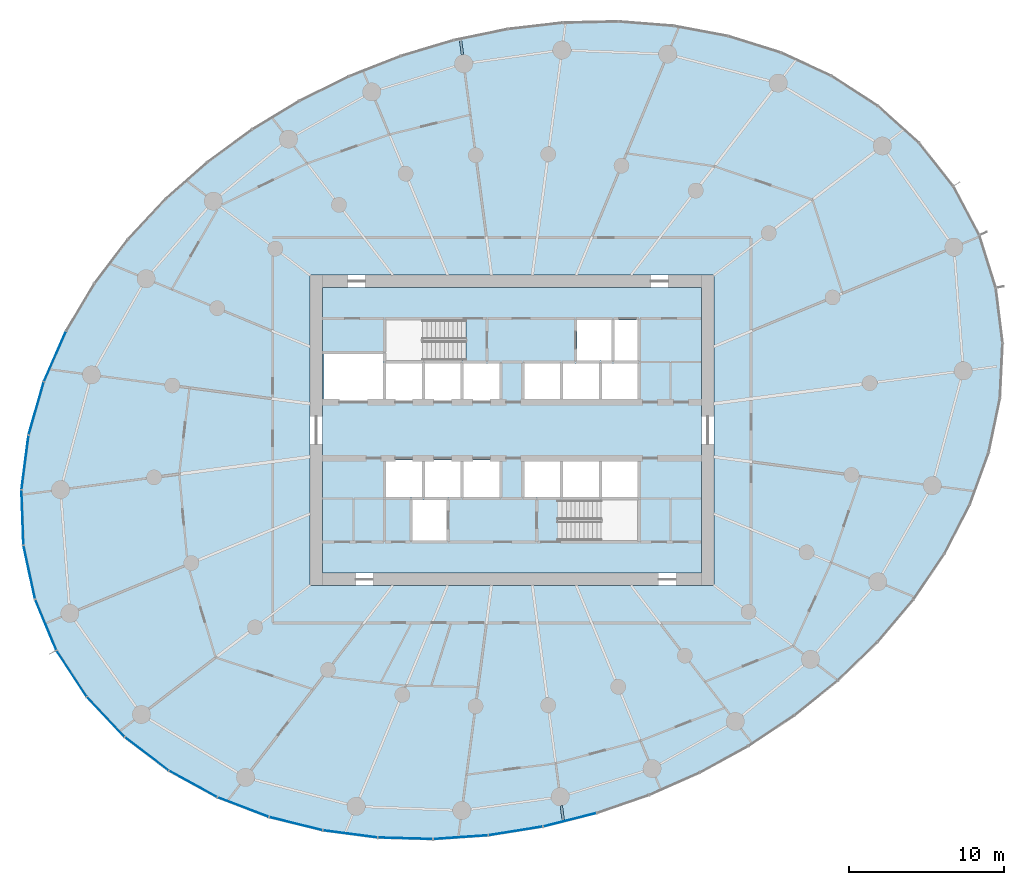
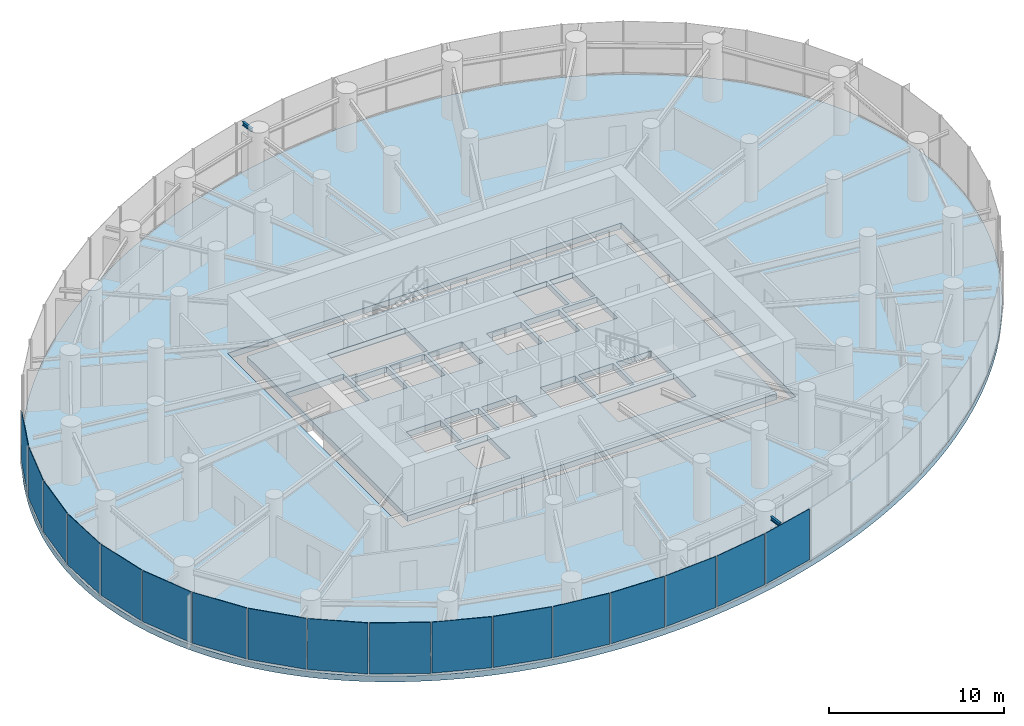
# One storey, part 8 of 17: 17 plates, 2 beams, 2 slabs, 4 elements without a shape of their own.
"""IFC4 building model written with IfcOpenShell, lengths in metres."""

from ifc_helpers import new_model, si_unit, direction, frame, origin, origin_2d, place, context, subcontext, project, spatial, line, indexed_curve, rectangle, i_section, outline, extrude, source, transform, mapped, material, layer, layer_set, material_profile, profile_set, type_object, element, aggregate, save


model = new_model("IFC4")

# Units and contexts
model_context = context("Model", 3, precision=1e-05, world=origin(), true_north=direction((0.0, 1.0)))
body_context = subcontext(model_context, "Body", "Model", "MODEL_VIEW")
ifc_project = project(units=[si_unit("LENGTHUNIT", "METRE"), si_unit("AREAUNIT", "SQUARE_METRE"), si_unit("VOLUMEUNIT", "CUBIC_METRE"), si_unit("PLANEANGLEUNIT", "RADIAN"), si_unit("MASSUNIT", "GRAM", prefix="KILO")], contexts=[model_context])

# Site, building, storey
site_placement = place(None, origin())
site = spatial("IfcSite", under=ifc_project, at=site_placement, CompositionType="ELEMENT")
building_placement = place(site_placement, origin())
building = spatial("IfcBuilding", under=site, at=building_placement, Name="Spindrift Exchange Tower", CompositionType="ELEMENT")
storey_placement = place(building_placement, frame((0.0, 0.0, 88.0)))
storey = spatial("IfcBuildingStorey", under=building, at=storey_placement, Name="L20", CompositionType="ELEMENT", Elevation=88.0)

# Beams
ifc_material_1 = material(Name="Steel Grade 300", Category="steel")
ifc_material_profile = material_profile(ifc_material_1, i_section(OverallWidth=0.14599609375, OverallDepth=0.251953125, WebThickness=0.006103515625, FlangeThickness=0.008544921875, FilletRadius=0.011962890625, at=origin_2d()), Name="250UB31.4")
ifc_profile_set = profile_set([ifc_material_profile], Name="Steel Grade 300")
beam_type = type_object("IfcBeamType", Name="Cantilever Beam 250UB31.4 Steel Grade 300", PredefinedType="BEAM", material=ifc_profile_set)
shared_shape_1 = source(origin(), body_context, "Body", "SweptSolid", [
    extrude(i_section(OverallWidth=0.14599609375, OverallDepth=0.251953125, WebThickness=0.006103515625, FlangeThickness=0.008544921875, FilletRadius=0.011962890625, at=origin_2d()), origin(), (0.0, 0.0, 1.0), 0.892333984375),
])
for number, where, z_axis, x_axis, name in (
    (1, (48.81787109375, 72.17041015625, 3.573974609375), (-0.13049697393, 0.991448707597, 0.0), (-0.991448707597, -0.13049697393, 0.0), "L20 cantilever beam R07T"),
    (2, (55.18212890625, 23.82958984375, 3.573974609375), (0.13049697393, -0.991448707597, 0.0), (0.991448707597, 0.13049697393, 0.0), "L20 cantilever beam R19T"),
):
    element("IfcBeam", number, at=place(storey_placement, frame(where, z_axis=z_axis, x_axis=x_axis)), inside=storey, type_object=beam_type, Name=name, PredefinedType="BEAM", context=body_context, shape_type="MappedRepresentation", body=[
        mapped(shared_shape_1, transform((0.0, 0.0, 0.0), scale=1.0)),
    ])

# Slabs
ifc_material_2 = material(Name="Concrete 50 MPa", Category="concrete")
ifc_layer_1 = layer(ifc_material_2, 0.39990234375)
ifc_layer_set_1 = layer_set([ifc_layer_1], Name="RC Floor Slab 400 Concrete 50 MPa")
slab_type_1 = type_object("IfcSlabType", Name="RC Floor Slab 400 Concrete 50 MPa", PredefinedType="FLOOR", material=ifc_layer_set_1)
slab_1_placement = place(storey_placement, frame((0.0, 0.0, -0.39990234375)))
element("IfcSlab", 3, at=slab_1_placement, inside=storey, type_object=slab_type_1, Name="Floor slab L20", PredefinedType="FLOOR", context=body_context, shape_type="SweptSolid", body=[
    extrude(outline(indexed_curve([(82.08154296875, 60.557861328125), (81.880615234375, 61.021484375), (81.66796875, 61.47998046875), (81.443115234375, 61.9326171875), (81.20654296875, 62.37939453125), (80.95849609375, 62.819580078125), (80.69921875, 63.25341796875), (80.428466796875, 63.680419921875), (80.147216796875, 64.10009765625), (79.85498046875, 64.5126953125), (79.552734375, 64.917724609375), (79.240234375, 65.31494140625), (78.91796875, 65.704345703125), (78.586181640625, 66.08544921875), (78.2451171875, 66.45849609375), (77.89501953125, 66.822998046875), (77.53662109375, 67.17919921875), (77.16943359375, 67.526611328125), (76.79443359375, 67.865478515625), (76.41162109375, 68.195556640625), (76.021240234375, 68.5166015625), (75.623779296875, 68.828857421875), (75.219482421875, 69.132080078125), (74.80859375, 69.426513671875), (74.391357421875, 69.711669921875), (73.968017578125, 69.98779296875), (73.5390625, 70.255126953125), (73.104736328125, 70.513427734375), (72.6650390625, 70.7626953125), (72.22021484375, 71.0029296875), (71.77099609375, 71.234375), (70.859130859375, 71.67041015625), (70.39697265625, 71.875244140625), (69.4619140625, 72.2587890625), (68.51318359375, 72.607666015625), (68.0341796875, 72.769287109375), (67.552490234375, 72.922607421875), (66.581787109375, 73.203857421875), (66.093017578125, 73.332275390625), (65.109130859375, 73.564453125), (64.614501953125, 73.668701171875), (63.62060546875, 73.85302734375), (63.12158203125, 73.93359375), (62.120361328125, 74.071533203125), (61.6181640625, 74.129150390625), (60.61181640625, 74.22216796875), (60.107421875, 74.25732421875), (59.097900390625, 74.306396484375), (58.592529296875, 74.3203125), (57.581787109375, 74.326416015625), (57.076416015625, 74.3193359375), (56.066162109375, 74.2841796875), (55.5615234375, 74.25634765625), (54.553466796875, 74.180908203125), (54.05029296875, 74.13330078125), (53.0458984375, 74.0185546875), (52.044921875, 73.8779296875), (51.5458984375, 73.798095703125), (51.0478515625, 73.712158203125), (50.05517578125, 73.521484375), (49.0673828125, 73.306396484375), (48.57568359375, 73.189697265625), (48.08544921875, 73.06689453125), (47.109619140625, 72.8037109375), (46.14013671875, 72.516845703125), (45.658203125, 72.36474609375), (44.699951171875, 72.043212890625), (44.2236328125, 71.873779296875), (43.277587890625, 71.517822265625), (42.340087890625, 71.1396484375), (41.412109375, 70.739013671875), (40.493896484375, 70.316650390625), (39.5859375, 69.872314453125), (39.135986328125, 69.641845703125), (38.24462890625, 69.1650390625), (37.80322265625, 68.918701171875), (36.929931640625, 68.409912109375), (36.497802734375, 68.147705078125), (36.069091796875, 67.8798828125), (35.2216796875, 67.3291015625), (34.387939453125, 66.75732421875), (33.9765625, 66.463623046875), (33.56884765625, 66.1650390625), (32.76513671875, 65.552001953125), (31.977294921875, 64.918701171875), (31.589599609375, 64.594482421875), (31.2060546875, 64.26513671875), (30.452392578125, 63.591552734375), (29.717041015625, 62.89794921875), (29.356689453125, 62.543701171875), (28.650390625, 61.820556640625), (28.3046875, 61.45166015625), (27.629638671875, 60.69921875), (27.30029296875, 60.31591796875), (26.65869140625, 59.534912109375), (26.346435546875, 59.137451171875), (25.740478515625, 58.328369140625), (25.44677734375, 57.9169921875), (24.879150390625, 57.080810546875), (24.605224609375, 56.65576171875), (24.07861328125, 55.793212890625), (23.826171875, 55.355224609375), (23.343505859375, 54.467041015625), (23.114013671875, 54.016845703125), (22.678466796875, 53.104736328125), (22.472900390625, 52.642822265625), (22.087890625, 51.708251953125), (21.90869140625, 51.235595703125), (21.57763671875, 50.28076171875), (21.426025390625, 49.798583984375), (21.2841796875, 49.3134765625), (21.15234375, 48.825439453125), (21.030517578125, 48.3349609375), (20.918701171875, 47.842041015625), (20.817626953125, 47.346923828125), (20.72705078125, 46.849609375), (20.647216796875, 46.3505859375), (20.57861328125, 45.849853515625), (20.521240234375, 45.34765625), (20.47509765625, 44.84423828125), (20.4404296875, 44.340087890625), (20.41748046875, 43.835205078125), (20.406494140625, 43.329833984375), (20.40771484375, 42.824462890625), (20.420654296875, 42.319091796875), (20.446044921875, 41.814453125), (20.48388671875, 41.310546875), (20.533935546875, 40.8076171875), (20.5966796875, 40.305908203125), (20.672119140625, 39.806396484375), (20.760009765625, 39.30859375), (20.860595703125, 38.813232421875), (20.97412109375, 38.32080078125), (21.10009765625, 37.831298828125), (21.238525390625, 37.34521484375), (21.389892578125, 36.863037109375), (21.5537109375, 36.384765625), (21.72998046875, 35.9111328125), (21.91845703125, 35.442138671875), (22.119384765625, 34.978515625), (22.33203125, 34.52001953125), (22.556884765625, 34.0673828125), (22.79345703125, 33.62060546875), (23.04150390625, 33.180419921875), (23.30078125, 32.74658203125), (23.571533203125, 32.319580078125), (23.852783203125, 31.89990234375), (24.14501953125, 31.4873046875), (24.447265625, 31.082275390625), (24.759765625, 30.68505859375), (25.08203125, 30.295654296875), (25.413818359375, 29.91455078125), (25.7548828125, 29.54150390625), (26.10498046875, 29.177001953125), (26.46337890625, 28.82080078125), (26.83056640625, 28.473388671875), (27.20556640625, 28.134521484375), (27.58837890625, 27.804443359375), (27.978759765625, 27.4833984375), (28.376220703125, 27.171142578125), (28.780517578125, 26.867919921875), (29.19140625, 26.573486328125), (29.608642578125, 26.288330078125), (30.031982421875, 26.01220703125), (30.4609375, 25.744873046875), (30.895263671875, 25.486572265625), (31.3349609375, 25.2373046875), (31.77978515625, 24.9970703125), (32.22900390625, 24.765625), (33.140869140625, 24.32958984375), (33.60302734375, 24.124755859375), (34.5380859375, 23.7412109375), (35.48681640625, 23.392333984375), (35.9658203125, 23.230712890625), (36.447509765625, 23.077392578125), (37.418212890625, 22.796142578125), (37.906982421875, 22.667724609375), (38.890869140625, 22.435546875), (39.385498046875, 22.331298828125), (40.37939453125, 22.14697265625), (40.87841796875, 22.06640625), (41.879638671875, 21.928466796875), (42.3818359375, 21.870849609375), (43.38818359375, 21.77783203125), (43.892578125, 21.74267578125), (44.902099609375, 21.693603515625), (45.407470703125, 21.6796875), (46.418212890625, 21.673583984375), (46.923583984375, 21.6806640625), (47.933837890625, 21.7158203125), (48.4384765625, 21.74365234375), (49.446533203125, 21.819091796875), (49.94970703125, 21.86669921875), (50.9541015625, 21.9814453125), (51.955078125, 22.1220703125), (52.4541015625, 22.201904296875), (52.9521484375, 22.287841796875), (53.94482421875, 22.478515625), (54.9326171875, 22.693603515625), (55.42431640625, 22.810302734375), (55.91455078125, 22.93310546875), (56.890380859375, 23.1962890625), (57.85986328125, 23.483154296875), (58.341796875, 23.63525390625), (59.300048828125, 23.956787109375), (59.7763671875, 24.126220703125), (60.722412109375, 24.482177734375), (61.659912109375, 24.8603515625), (62.587890625, 25.260986328125), (63.506103515625, 25.683349609375), (63.96142578125, 25.90283203125), (64.864013671875, 26.358154296875), (65.75537109375, 26.8349609375), (66.19677734375, 27.081298828125), (67.070068359375, 27.590087890625), (67.502197265625, 27.852294921875), (67.930908203125, 28.1201171875), (68.7783203125, 28.6708984375), (69.612060546875, 29.24267578125), (70.0234375, 29.536376953125), (70.43115234375, 29.8349609375), (71.23486328125, 30.447998046875), (72.022705078125, 31.081298828125), (72.410400390625, 31.405517578125), (73.1728515625, 32.069091796875), (73.547607421875, 32.408447265625), (74.282958984375, 33.10205078125), (74.643310546875, 33.456298828125), (75.349609375, 34.179443359375), (75.6953125, 34.54833984375), (76.370361328125, 35.30078125), (76.69970703125, 35.68408203125), (77.34130859375, 36.465087890625), (77.653564453125, 36.862548828125), (78.259521484375, 37.671630859375), (78.55322265625, 38.0830078125), (79.120849609375, 38.919189453125), (79.394775390625, 39.34423828125), (79.92138671875, 40.206787109375), (80.173828125, 40.644775390625), (80.656494140625, 41.532958984375), (80.885986328125, 41.983154296875), (81.321533203125, 42.895263671875), (81.527099609375, 43.357177734375), (81.912109375, 44.291748046875), (82.09130859375, 44.764404296875), (82.42236328125, 45.71923828125), (82.573974609375, 46.201416015625), (82.7158203125, 46.6865234375), (82.84765625, 47.174560546875), (82.969482421875, 47.6650390625), (83.081298828125, 48.157958984375), (83.182373046875, 48.653076171875), (83.27294921875, 49.150390625), (83.352783203125, 49.6494140625), (83.42138671875, 50.150146484375), (83.478759765625, 50.65234375), (83.52490234375, 51.15576171875), (83.5595703125, 51.659912109375), (83.58251953125, 52.164794921875), (83.593505859375, 52.670166015625), (83.59228515625, 53.175537109375), (83.579345703125, 53.680908203125), (83.553955078125, 54.185546875), (83.51611328125, 54.689453125), (83.466064453125, 55.1923828125), (83.4033203125, 55.694091796875), (83.327880859375, 56.193603515625), (83.239990234375, 56.69140625), (83.139404296875, 57.186767578125), (83.02587890625, 57.67919921875), (82.89990234375, 58.168701171875), (82.761474609375, 58.65478515625), (82.610107421875, 59.136962890625), (82.4462890625, 59.615234375), (82.27001953125, 60.0888671875)], segments=[line(1, 2, 3, 4, 5, 6, 7, 8, 9, 10, 11, 12, 13, 14, 15, 16, 17, 18, 19, 20, 21, 22, 23, 24, 25, 26, 27, 28, 29, 30, 31, 32, 33, 34, 35, 36, 37, 38, 39, 40, 41, 42, 43, 44, 45, 46, 47, 48, 49, 50, 51, 52, 53, 54, 55, 56, 57, 58, 59, 60, 61, 62, 63, 64, 65, 66, 67, 68, 69, 70, 71, 72, 73, 74, 75, 76, 77, 78, 79, 80, 81, 82, 83, 84, 85, 86, 87, 88, 89, 90, 91, 92, 93, 94, 95, 96, 97, 98, 99, 100, 101, 102, 103, 104, 105, 106, 107, 108, 109, 110, 111, 112, 113, 114, 115, 116, 117, 118, 119, 120, 121, 122, 123, 124, 125, 126, 127, 128, 129, 130, 131, 132, 133, 134, 135, 136, 137, 138, 139, 140, 141, 142, 143, 144, 145, 146, 147, 148, 149, 150, 151, 152, 153, 154, 155, 156, 157, 158, 159, 160, 161, 162, 163, 164, 165, 166, 167, 168, 169, 170, 171, 172, 173, 174, 175, 176, 177, 178, 179, 180, 181, 182, 183, 184, 185, 186, 187, 188, 189, 190, 191, 192, 193, 194, 195, 196, 197, 198, 199, 200, 201, 202, 203, 204, 205, 206, 207, 208, 209, 210, 211, 212, 213, 214, 215, 216, 217, 218, 219, 220, 221, 222, 223, 224, 225, 226, 227, 228, 229, 230, 231, 232, 233, 234, 235, 236, 237, 238, 239, 240, 241, 242, 243, 244, 245, 246, 247, 248, 249, 250, 251, 252, 253, 254, 255, 256, 257, 258, 259, 260, 261, 262, 263, 264, 265, 266, 267, 268, 269, 270, 271, 272, 273, 274, 275, 276, 1)], self_intersect=False), holes=[indexed_curve([(39.0, 38.0), (65.0, 38.0), (65.0, 58.0), (39.0, 58.0)], segments=[line(1, 2, 3, 4, 1)], self_intersect=False)]), origin(), (0.0, 0.0, 1.0), 0.39990234375),
])
ifc_layer_2 = layer(ifc_material_2, 0.39990234375)
ifc_layer_set_2 = layer_set([ifc_layer_2], Name="SL-CORE-FLOOR-400")
slab_type_2 = type_object("IfcSlabType", Name="SL-CORE-FLOOR-400", PredefinedType="FLOOR", material=ifc_layer_set_2)
slab_2_placement = place(storey_placement, frame((0.0, 0.0, -0.39990234375)))
element("IfcSlab", 4, at=slab_2_placement, inside=storey, type_object=slab_type_2, Name="L20 Core floor slab", PredefinedType="FLOOR", context=body_context, shape_type="SweptSolid", body=[
    extrude(outline(indexed_curve([(39.800048828125, 38.800048828125), (39.800048828125, 57.199951171875), (64.199951171875, 57.199951171875), (64.199951171875, 38.800048828125)], segments=[line(1, 2, 3, 4, 1)], self_intersect=False), holes=[indexed_curve([(47.800048828125, 43.5), (45.60009765625, 43.5), (45.60009765625, 40.89990234375), (47.800048828125, 40.89990234375)], segments=[line(1, 2, 3, 4, 1)], self_intersect=False), indexed_curve([(46.199951171875, 46.10009765625), (43.89990234375, 46.10009765625), (43.89990234375, 43.699951171875), (46.199951171875, 43.699951171875)], segments=[line(1, 2, 3, 4, 1)], self_intersect=False), indexed_curve([(48.699951171875, 46.10009765625), (46.39990234375, 46.10009765625), (46.39990234375, 43.699951171875), (48.699951171875, 43.699951171875)], segments=[line(1, 2, 3, 4, 1)], self_intersect=False), indexed_curve([(51.199951171875, 46.10009765625), (48.89990234375, 46.10009765625), (48.89990234375, 43.699951171875), (51.199951171875, 43.699951171875)], segments=[line(1, 2, 3, 4, 1)], self_intersect=False), indexed_curve([(46.199951171875, 52.300048828125), (43.89990234375, 52.300048828125), (43.89990234375, 49.89990234375), (46.199951171875, 49.89990234375)], segments=[line(1, 2, 3, 4, 1)], self_intersect=False), indexed_curve([(48.699951171875, 52.300048828125), (46.39990234375, 52.300048828125), (46.39990234375, 49.89990234375), (48.699951171875, 49.89990234375)], segments=[line(1, 2, 3, 4, 1)], self_intersect=False), indexed_curve([(51.199951171875, 52.300048828125), (48.89990234375, 52.300048828125), (48.89990234375, 49.89990234375), (51.199951171875, 49.89990234375)], segments=[line(1, 2, 3, 4, 1)], self_intersect=False), indexed_curve([(43.699951171875, 49.89990234375), (43.699951171875, 52.89990234375), (39.89990234375, 52.89990234375), (39.89990234375, 49.89990234375)], segments=[line(1, 2, 3, 4, 1)], self_intersect=False), indexed_curve([(49.0439453125, 55.093994140625), (43.906005859375, 55.093994140625), (43.906005859375, 52.506103515625), (49.0439453125, 52.506103515625)], segments=[line(1, 2, 3, 4, 1)], self_intersect=False), indexed_curve([(60.093994140625, 40.906005859375), (60.093994140625, 43.493896484375), (54.9560546875, 43.493896484375), (54.9560546875, 40.906005859375)], segments=[line(1, 2, 3, 4, 1)], self_intersect=False), indexed_curve([(55.10009765625, 46.10009765625), (52.800048828125, 46.10009765625), (52.800048828125, 43.699951171875), (55.10009765625, 43.699951171875)], segments=[line(1, 2, 3, 4, 1)], self_intersect=False), indexed_curve([(57.60009765625, 46.10009765625), (55.300048828125, 46.10009765625), (55.300048828125, 43.699951171875), (57.60009765625, 43.699951171875)], segments=[line(1, 2, 3, 4, 1)], self_intersect=False), indexed_curve([(60.10009765625, 46.10009765625), (57.800048828125, 46.10009765625), (57.800048828125, 43.699951171875), (60.10009765625, 43.699951171875)], segments=[line(1, 2, 3, 4, 1)], self_intersect=False), indexed_curve([(55.10009765625, 52.300048828125), (52.800048828125, 52.300048828125), (52.800048828125, 49.89990234375), (55.10009765625, 49.89990234375)], segments=[line(1, 2, 3, 4, 1)], self_intersect=False), indexed_curve([(57.60009765625, 52.300048828125), (55.300048828125, 52.300048828125), (55.300048828125, 49.89990234375), (57.60009765625, 49.89990234375)], segments=[line(1, 2, 3, 4, 1)], self_intersect=False), indexed_curve([(60.10009765625, 52.300048828125), (57.800048828125, 52.300048828125), (57.800048828125, 49.89990234375), (60.10009765625, 49.89990234375)], segments=[line(1, 2, 3, 4, 1)], self_intersect=False), indexed_curve([(58.39990234375, 52.5), (58.39990234375, 55.10009765625), (56.199951171875, 55.10009765625), (56.199951171875, 52.5)], segments=[line(1, 2, 3, 4, 1)], self_intersect=False), indexed_curve([(60.10009765625, 52.5), (60.10009765625, 55.10009765625), (58.60009765625, 55.10009765625), (58.60009765625, 52.5)], segments=[line(1, 2, 3, 4, 1)], self_intersect=False)]), origin(), (0.0, 0.0, 1.0), 0.39990234375),
])

# Curtain wall, plates
ifc_material_3 = material(Name="Fritted laminated glass with bronze frame", Category="glass")
ifc_layer_3 = layer(ifc_material_3, 0.18994140625)
ifc_layer_set_3 = layer_set([ifc_layer_3], Name="ZONE 2 BRONZE FRITTED WALL")
curtain_wall_type = type_object("IfcCurtainWallType", Name="ZONE 2 BRONZE FRITTED WALL", PredefinedType="NOTDEFINED", material=ifc_layer_set_3)
curtain_wall_1_placement = place(storey_placement, origin())
curtain_wall_1 = element("IfcCurtainWall", 5, at=curtain_wall_1_placement, inside=storey, type_object=curtain_wall_type, Name="L20 Zone 2 Bronze Fritted Wall run 6", PredefinedType="NOTDEFINED")
ifc_material_4 = material(Name="Bronze fritted laminated glass, close frit", Category="glass")
ifc_layer_4 = layer(ifc_material_4, 0.033935546875)
ifc_layer_set_4 = layer_set([ifc_layer_4], Name="ZONE 2 BRONZE FRITTED WALL PANEL CLOSE FRIT 420")
plate_type_1 = type_object("IfcPlateType", Name="ZONE 2 BRONZE FRITTED WALL PANEL CLOSE FRIT 420", PredefinedType="CURTAIN_PANEL", material=ifc_layer_set_4)
shared_shape_2 = source(origin(), body_context, "Body", "SweptSolid", [
    extrude(rectangle(XDim=3.491455078125, YDim=0.033935546875, at=origin_2d()), origin(), (0.0, 0.0, 1.0), 3.56005859375),
])
plate_1_placement = place(storey_placement, frame((48.70263671875, 21.802490234375, 0.139892578125), z_axis=(0.0, 0.0, 1.0), x_axis=(0.997664531256, 0.068304341541, 0.0)))
plate_1 = element("IfcPlate", 6, at=plate_1_placement, type_object=plate_type_1, Name="L20 panel CW-2.35", PredefinedType="CURTAIN_PANEL", context=body_context, shape_type="MappedRepresentation", body=[
    mapped(shared_shape_2, transform((0.0, 0.0, 0.0), scale=1.0)),
])
plate_2_placement = place(storey_placement, frame((52.242431640625, 22.20751953125, 0.139892578125), z_axis=(0.0, 0.0, 1.0), x_axis=(0.9873181176, 0.158754321701, 0.0)))
plate_2 = element("IfcPlate", 7, at=plate_2_placement, type_object=plate_type_1, Name="L20 panel CW-2.36", PredefinedType="CURTAIN_PANEL", context=body_context, shape_type="MappedRepresentation", body=[
    mapped(shared_shape_2, transform((0.0, 0.0, 0.0), scale=1.0)),
])

# Curtain wall, plate
curtain_wall_2_placement = place(storey_placement, origin())
curtain_wall_2 = element("IfcCurtainWall", 8, at=curtain_wall_2_placement, inside=storey, type_object=curtain_wall_type, Name="L20 Zone 2 Bronze Fritted Wall run 7", PredefinedType="NOTDEFINED")
ifc_layer_5 = layer(ifc_material_4, 0.033935546875)
ifc_layer_set_5 = layer_set([ifc_layer_5], Name="ZONE 2 BRONZE FRITTED WALL PANEL CLOSE FRIT 300")
plate_type_2 = type_object("IfcPlateType", Name="ZONE 2 BRONZE FRITTED WALL PANEL CLOSE FRIT 300", PredefinedType="CURTAIN_PANEL", material=ifc_layer_set_5)
shared_shape_3 = source(origin(), body_context, "Body", "SweptSolid", [
    extrude(rectangle(XDim=3.49169921875, YDim=0.033935546875, at=origin_2d()), origin(), (0.0, 0.0, 1.0), 3.56005859375),
])
plate_3_placement = place(storey_placement, frame((55.732421875, 22.926513671875, 0.139892578125), z_axis=(0.0, 0.0, 1.0), x_axis=(0.969667157919, 0.24442913667, 0.0)))
plate_3 = element("IfcPlate", 9, at=plate_3_placement, type_object=plate_type_2, Name="L20 panel CW-2.37", PredefinedType="CURTAIN_PANEL", context=body_context, shape_type="MappedRepresentation", body=[
    mapped(shared_shape_3, transform((0.0, 0.0, 0.0), scale=1.0)),
])
aggregate(curtain_wall_2, [plate_3])

# Plate
shared_shape_4 = source(origin(), body_context, "Body", "SweptSolid", [
    extrude(rectangle(XDim=3.4912109375, YDim=0.033935546875, at=origin_2d()), origin(), (0.0, 0.0, 1.0), 3.56005859375),
])
plate_4_placement = place(storey_placement, frame((41.5908203125, 22.01318359375, 0.139892578125), z_axis=(0.0, 0.0, 1.0), x_axis=(0.991428679168, -0.130649049456, 0.0)))
plate_4 = element("IfcPlate", 10, at=plate_4_placement, type_object=plate_type_2, Name="L20 panel CW-2.33", PredefinedType="CURTAIN_PANEL", context=body_context, shape_type="MappedRepresentation", body=[
    mapped(shared_shape_4, transform((0.0, 0.0, 0.0), scale=1.0)),
])

shared_shape_5 = source(origin(), body_context, "Body", "SweptSolid", [
    extrude(rectangle(XDim=3.49072265625, YDim=0.033935546875, at=origin_2d()), origin(), (0.0, 0.0, 1.0), 3.56005859375),
])
plate_5_placement = place(storey_placement, frame((38.0927734375, 22.675048828125, 0.139892578125), z_axis=(0.0, 0.0, 1.0), x_axis=(0.970632147165, -0.240568565882, 0.0)))
plate_5 = element("IfcPlate", 11, at=plate_5_placement, type_object=plate_type_1, Name="L20 panel CW-2.32", PredefinedType="CURTAIN_PANEL", context=body_context, shape_type="MappedRepresentation", body=[
    mapped(shared_shape_5, transform((0.0, 0.0, 0.0), scale=1.0)),
])

# Curtain wall, plate
curtain_wall_3_placement = place(storey_placement, origin())
curtain_wall_3 = element("IfcCurtainWall", 12, at=curtain_wall_3_placement, inside=storey, type_object=curtain_wall_type, Name="L20 Zone 2 Bronze Fritted Wall run 4", PredefinedType="NOTDEFINED")
shared_shape_6 = source(origin(), body_context, "Body", "SweptSolid", [
    extrude(rectangle(XDim=3.490234375, YDim=0.033935546875, at=origin_2d()), origin(), (0.0, 0.0, 1.0), 3.56005859375),
])
plate_6_placement = place(storey_placement, frame((22.585205078125, 52.755859375, 0.139892578125), z_axis=(0.0, 0.0, 1.0), x_axis=(-0.402382423443, -0.915471673676, 0.0)))
plate_6 = element("IfcPlate", 13, at=plate_6_placement, type_object=plate_type_2, Name="L20 panel CW-2.21", PredefinedType="CURTAIN_PANEL", context=body_context, shape_type="MappedRepresentation", body=[
    mapped(shared_shape_6, transform((0.0, 0.0, 0.0), scale=1.0)),
])

# Curtain wall, plates
curtain_wall_4_placement = place(storey_placement, origin())
curtain_wall_4 = element("IfcCurtainWall", 14, at=curtain_wall_4_placement, inside=storey, type_object=curtain_wall_type, Name="L20 Zone 2 Bronze Fritted Wall run 5", PredefinedType="NOTDEFINED")
shared_shape_7 = source(origin(), body_context, "Body", "SweptSolid", [
    extrude(rectangle(XDim=3.48974609375, YDim=0.033935546875, at=origin_2d()), origin(), (0.0, 0.0, 1.0), 3.56005859375),
])
plate_7_placement = place(storey_placement, frame((31.4697265625, 25.235595703125, 0.139892578125), z_axis=(0.0, 0.0, 1.0), x_axis=(0.876913894178, -0.480647503059, 0.0)))
plate_7 = element("IfcPlate", 15, at=plate_7_placement, type_object=plate_type_1, Name="L20 panel CW-2.30", PredefinedType="CURTAIN_PANEL", context=body_context, shape_type="MappedRepresentation", body=[
    mapped(shared_shape_7, transform((0.0, 0.0, 0.0), scale=1.0)),
])
shared_shape_8 = source(origin(), body_context, "Body", "SweptSolid", [
    extrude(rectangle(XDim=3.489013671875, YDim=0.033935546875, at=origin_2d()), origin(), (0.0, 0.0, 1.0), 3.56005859375),
])
plate_8_placement = place(storey_placement, frame((28.489501953125, 27.1728515625, 0.139892578125), z_axis=(0.0, 0.0, 1.0), x_axis=(0.795285180898, -0.606235499656, 0.0)))
plate_8 = element("IfcPlate", 16, at=plate_8_placement, type_object=plate_type_2, Name="L20 panel CW-2.29", PredefinedType="CURTAIN_PANEL", context=body_context, shape_type="MappedRepresentation", body=[
    mapped(shared_shape_8, transform((0.0, 0.0, 0.0), scale=1.0)),
])
shared_shape_9 = source(origin(), body_context, "Body", "SweptSolid", [
    extrude(rectangle(XDim=3.48828125, YDim=0.033935546875, at=origin_2d()), origin(), (0.0, 0.0, 1.0), 3.56005859375),
])
plate_9_placement = place(storey_placement, frame((25.85107421875, 29.55029296875, 0.139892578125), z_axis=(0.0, 0.0, 1.0), x_axis=(0.685442281311, -0.728126966257, 0.0)))
plate_9 = element("IfcPlate", 17, at=plate_9_placement, type_object=plate_type_2, Name="L20 panel CW-2.28", PredefinedType="CURTAIN_PANEL", context=body_context, shape_type="MappedRepresentation", body=[
    mapped(shared_shape_9, transform((0.0, 0.0, 0.0), scale=1.0)),
])
shared_shape_10 = source(origin(), body_context, "Body", "SweptSolid", [
    extrude(rectangle(XDim=3.48779296875, YDim=0.033935546875, at=origin_2d()), origin(), (0.0, 0.0, 1.0), 3.56005859375),
])
plate_10_placement = place(storey_placement, frame((20.933349609375, 38.859375, 0.139892578125), z_axis=(0.0, 0.0, 1.0), x_axis=(0.210480290982, -0.977598101015, 0.0)))
plate_10 = element("IfcPlate", 18, at=plate_10_placement, type_object=plate_type_1, Name="L20 panel CW-2.25", PredefinedType="CURTAIN_PANEL", context=body_context, shape_type="MappedRepresentation", body=[
    mapped(shared_shape_10, transform((0.0, 0.0, 0.0), scale=1.0)),
])
plate_11_placement = place(storey_placement, frame((21.994384765625, 35.47412109375, 0.139892578125), z_axis=(0.0, 0.0, 1.0), x_axis=(0.385242567933, -0.922815346563, 0.0)))
plate_11 = element("IfcPlate", 19, at=plate_11_placement, type_object=plate_type_1, Name="L20 panel CW-2.26", PredefinedType="CURTAIN_PANEL", context=body_context, shape_type="MappedRepresentation", body=[
    mapped(shared_shape_10, transform((0.0, 0.0, 0.0), scale=1.0)),
])
ifc_layer_6 = layer(ifc_material_4, 0.033935546875)
ifc_layer_set_6 = layer_set([ifc_layer_6], Name="ZONE 2 BRONZE FRITTED WALL PANEL CLOSE FRIT 540")
plate_type_3 = type_object("IfcPlateType", Name="ZONE 2 BRONZE FRITTED WALL PANEL CLOSE FRIT 540", PredefinedType="CURTAIN_PANEL", material=ifc_layer_set_6)
shared_shape_11 = source(origin(), body_context, "Body", "SweptSolid", [
    extrude(rectangle(XDim=3.48779296875, YDim=0.033935546875, at=origin_2d()), origin(), (0.0, 0.0, 1.0), 3.56005859375),
])
plate_12_placement = place(storey_placement, frame((23.6552734375, 32.3388671875, 0.139892578125), z_axis=(0.0, 0.0, 1.0), x_axis=(0.547066581174, -0.83708909667, 0.0)))
plate_12 = element("IfcPlate", 20, at=plate_12_placement, type_object=plate_type_3, Name="L20 panel CW-2.27", PredefinedType="CURTAIN_PANEL", context=body_context, shape_type="MappedRepresentation", body=[
    mapped(shared_shape_11, transform((0.0, 0.0, 0.0), scale=1.0)),
])
aggregate(curtain_wall_4, [plate_10, plate_11, plate_12, plate_9, plate_8, plate_7])

# Plate
shared_shape_12 = source(origin(), body_context, "Body", "SweptSolid", [
    extrude(rectangle(XDim=3.48974609375, YDim=0.033935546875, at=origin_2d()), origin(), (0.0, 0.0, 1.0), 3.56005859375),
])
plate_13_placement = place(storey_placement, frame((21.3779296875, 49.410400390625, 0.139892578125), z_axis=(0.0, 0.0, 1.0), x_axis=(-0.274914181374, -0.961468768541, 0.0)))
plate_13 = element("IfcPlate", 21, at=plate_13_placement, type_object=plate_type_3, Name="L20 panel CW-2.22", PredefinedType="CURTAIN_PANEL", context=body_context, shape_type="MappedRepresentation", body=[
    mapped(shared_shape_12, transform((0.0, 0.0, 0.0), scale=1.0)),
])

shared_shape_13 = source(origin(), body_context, "Body", "SweptSolid", [
    extrude(rectangle(XDim=3.4912109375, YDim=0.033935546875, at=origin_2d()), origin(), (0.0, 0.0, 1.0), 3.56005859375),
])
plate_14_placement = place(storey_placement, frame((45.14111328125, 21.73046875, 0.139892578125), z_axis=(0.0, 0.0, 1.0), x_axis=(0.999609920086, -0.027928617318, 0.0)))
plate_14 = element("IfcPlate", 22, at=plate_14_placement, type_object=plate_type_1, Name="L20 panel CW-2.34", PredefinedType="CURTAIN_PANEL", context=body_context, shape_type="MappedRepresentation", body=[
    mapped(shared_shape_13, transform((0.0, 0.0, 0.0), scale=1.0)),
])

shared_shape_14 = source(origin(), body_context, "Body", "SweptSolid", [
    extrude(rectangle(XDim=3.489013671875, YDim=0.033935546875, at=origin_2d()), origin(), (0.0, 0.0, 1.0), 3.56005859375),
])
plate_15_placement = place(storey_placement, frame((20.659423828125, 45.92919921875, 0.139892578125), z_axis=(0.0, 0.0, 1.0), x_axis=(-0.128198449787, -0.991748535402, 0.0)))
plate_15 = element("IfcPlate", 23, at=plate_15_placement, type_object=plate_type_3, Name="L20 panel CW-2.23", PredefinedType="CURTAIN_PANEL", context=body_context, shape_type="MappedRepresentation", body=[
    mapped(shared_shape_14, transform((0.0, 0.0, 0.0), scale=1.0)),
])

shared_shape_15 = source(origin(), body_context, "Body", "SweptSolid", [
    extrude(rectangle(XDim=3.488525390625, YDim=0.033935546875, at=origin_2d()), origin(), (0.0, 0.0, 1.0), 3.56005859375),
])
plate_16_placement = place(storey_placement, frame((20.49462890625, 42.38134765625, 0.139892578125), z_axis=(0.0, 0.0, 1.0), x_axis=(0.03572277834, -0.999361737865, 0.0)))
plate_16 = element("IfcPlate", 24, at=plate_16_placement, type_object=plate_type_1, Name="L20 panel CW-2.24", PredefinedType="CURTAIN_PANEL", context=body_context, shape_type="MappedRepresentation", body=[
    mapped(shared_shape_15, transform((0.0, 0.0, 0.0), scale=1.0)),
])

aggregate(curtain_wall_3, [plate_6, plate_13, plate_15, plate_16])

shared_shape_16 = source(origin(), body_context, "Body", "SweptSolid", [
    extrude(rectangle(XDim=3.490234375, YDim=0.033935546875, at=origin_2d()), origin(), (0.0, 0.0, 1.0), 3.56005859375),
])
plate_17_placement = place(storey_placement, frame((34.697509765625, 23.741455078125, 0.139892578125), z_axis=(0.0, 0.0, 1.0), x_axis=(0.933865345148, -0.357624827343, 0.0)))
plate_17 = element("IfcPlate", 25, at=plate_17_placement, type_object=plate_type_3, Name="L20 panel CW-2.31", PredefinedType="CURTAIN_PANEL", context=body_context, shape_type="MappedRepresentation", body=[
    mapped(shared_shape_16, transform((0.0, 0.0, 0.0), scale=1.0)),
])

aggregate(curtain_wall_1, [plate_17, plate_5, plate_4, plate_14, plate_1, plate_2])

save(model, "model.ifc")
